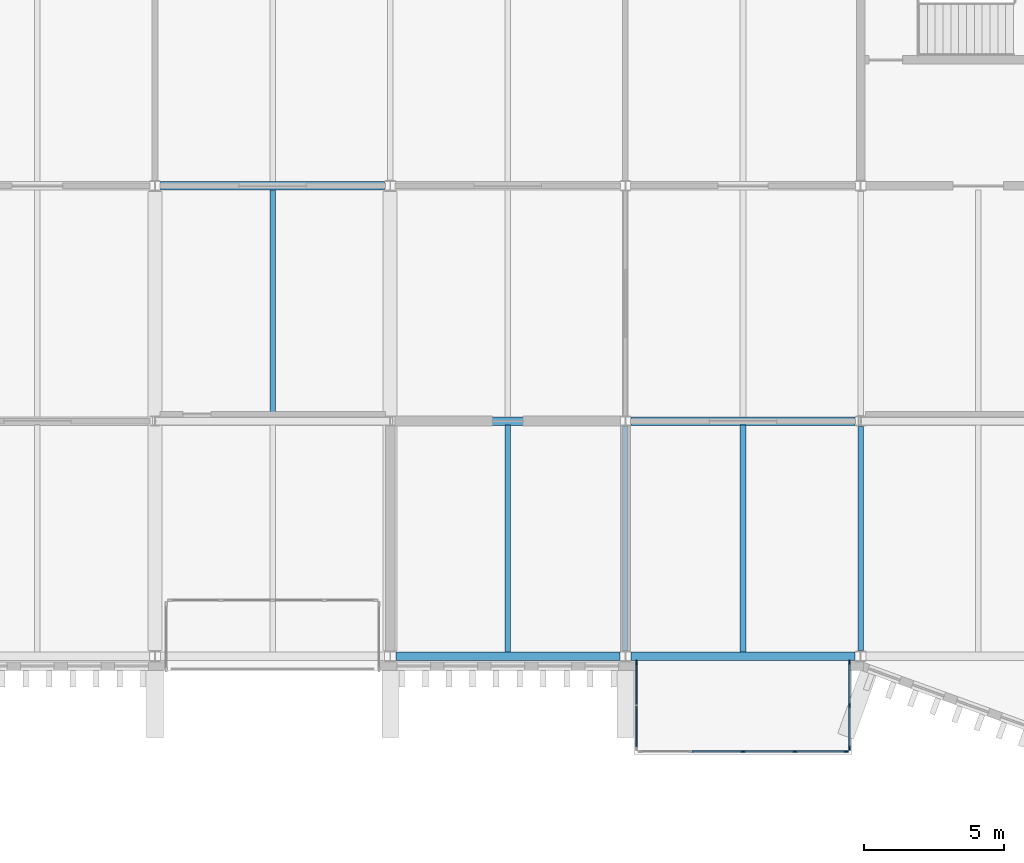
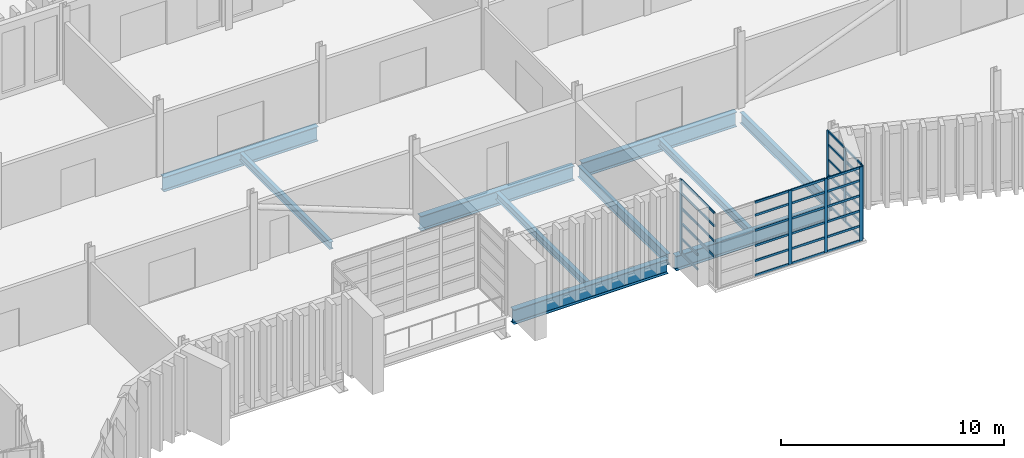
# One storey, part 25 of 96: 47 members, 10 beams, 3 elements without a shape of their own.
"""IFC4 building model written with IfcOpenShell, lengths in metres."""

import ifcopenshell
import ifcopenshell.guid

model = None  # the IFC model being written
_history = None  # IfcOwnerHistory: only IFC2X3 demands one
_inside = {}  # id of a spatial element -> (the spatial element, [elements in it])
_under = {}  # id of a project, library or spatial element -> (it, [spatial elements below it])
_declared = {}  # id of a project -> (the project, [libraries it declares])
_typed = {}  # id of a type object -> (the type object, [elements of that type])
_made_of = {}  # id of a material, layer set ... -> (it, [elements and type objects made of it])


def new_model(schema):
    """Start an empty IFC model of exactly this schema.

    Asked for "IFC4X3", IfcOpenShell would pick the latest addendum, in which some entities
    have other attributes; the version numbers below select the first issue.
    IFC2X3 requires an IfcOwnerHistory on every rooted entity: one is made here for all.
    """
    global model, _history
    if schema == "IFC4X3":
        model = ifcopenshell.file(schema_version=(4, 3, 0, 0))
    else:
        model = ifcopenshell.file(schema=schema)
    _inside.clear()
    _under.clear()
    _declared.clear()
    _typed.clear()
    _made_of.clear()
    _history = None
    if model.schema == "IFC2X3":
        org = make("IfcOrganization", Name="unknown")
        user = make(
            "IfcPersonAndOrganization",
            ThePerson=make("IfcPerson", FamilyName="unknown"),
            TheOrganization=org,
        )
        app = make(
            "IfcApplication",
            ApplicationDeveloper=org,
            Version="unknown",
            ApplicationFullName="unknown",
            ApplicationIdentifier="unknown",
        )
        _history = make(
            "IfcOwnerHistory",
            OwningUser=user,
            OwningApplication=app,
            ChangeAction="ADDED",
            CreationDate=0,
        )
    return model


def make(cls, **values):
    """One entity of the class cls with the attributes given. An attribute that is None is left unset."""
    return model.create_entity(
        cls, **{name: value for name, value in values.items() if value is not None}
    )


def rooted(cls, **values):
    """An entity with a GlobalId (a new one), such as an element, a storey or a relation."""
    return make(cls, GlobalId=ifcopenshell.guid.new(), OwnerHistory=_history, **values)


def si_unit(unit_type, name, prefix=None):
    """IfcSIUnit, for example si_unit("LENGTHUNIT", "METRE", prefix="MILLI")."""
    return make("IfcSIUnit", UnitType=unit_type, Prefix=prefix, Name=name)


def assignment(units):
    """IfcUnitAssignment: the units of a project."""
    return None if units is None else make("IfcUnitAssignment", Units=units)


def point(xyz):
    """IfcCartesianPoint."""
    return None if xyz is None else make("IfcCartesianPoint", Coordinates=xyz)


def direction(xyz):
    """IfcDirection."""
    return None if xyz is None else make("IfcDirection", DirectionRatios=xyz)


def frame(location, z_axis=None, x_axis=None):
    """IfcAxis2Placement3D, a coordinate frame: its origin and axes. An axis left out is left unset."""
    return make(
        "IfcAxis2Placement3D",
        Location=point(location),
        Axis=direction(z_axis),
        RefDirection=direction(x_axis),
    )


def frame_2d(location, x_axis=None):
    """IfcAxis2Placement2D, a coordinate frame in the plane: its origin and x axis."""
    return make(
        "IfcAxis2Placement2D", Location=point(location), RefDirection=direction(x_axis)
    )


def origin():
    """The frame at (0, 0, 0) with its axes left unset."""
    return frame((0.0, 0.0, 0.0))


def origin_2d():
    """The frame at (0, 0) in the plane with its x axis left unset."""
    return frame_2d((0.0, 0.0))


def place(relative_to, where):
    """IfcLocalPlacement: puts the frame where relative to a parent placement (None: the world)."""
    return make(
        "IfcLocalPlacement", PlacementRelTo=relative_to, RelativePlacement=where
    )


def context(
    kind, dimensions, precision=None, world=None, true_north=None, identifier=None
):
    """IfcGeometricRepresentationContext, for example the 3D "Model" context."""
    return make(
        "IfcGeometricRepresentationContext",
        ContextIdentifier=identifier,
        ContextType=kind,
        CoordinateSpaceDimension=dimensions,
        Precision=precision,
        WorldCoordinateSystem=world,
        TrueNorth=true_north,
    )


def subcontext(parent, identifier, kind, view, scale=None):
    """IfcGeometricRepresentationSubContext, for example "Body" below "Model"."""
    return make(
        "IfcGeometricRepresentationSubContext",
        ContextIdentifier=identifier,
        ContextType=kind,
        ParentContext=parent,
        TargetScale=scale,
        TargetView=view,
    )


def project(units=None, contexts=None):
    """IfcProject with its units and contexts."""
    return rooted(
        "IfcProject",
        Name="project",
        RepresentationContexts=contexts,
        UnitsInContext=assignment(units),
    )


def spatial(cls, under=None, at=None, **own):
    """A site, building, storey or space (cls), placed at a placement, below another one or the project."""
    s = rooted(cls, ObjectPlacement=at, **own)
    if under is not None:
        _under.setdefault(under.id(), (under, []))[1].append(s)
    return s


def profile(cls, at=None, kind="AREA", **sizes):
    """A parametric profile (cls). Its sizes go by their IFC names, for example OverallWidth=200.0."""
    return make(cls, ProfileType=kind, Position=at, **sizes)


def rectangle(**sizes):
    """IfcRectangleProfileDef."""
    return profile("IfcRectangleProfileDef", **sizes)


def i_section(**sizes):
    """IfcIShapeProfileDef."""
    return profile("IfcIShapeProfileDef", **sizes)


def extrude(swept, where, along, depth):
    """IfcExtrudedAreaSolid: the profile swept, set in the frame where, extruded along a direction by depth."""
    return make(
        "IfcExtrudedAreaSolid",
        SweptArea=swept,
        Position=where,
        ExtrudedDirection=direction(along),
        Depth=depth,
    )


def shape(context_of_items, identifier, shape_type, items):
    """IfcShapeRepresentation: the items that make up one representation, for example the "Body"."""
    return make(
        "IfcShapeRepresentation",
        ContextOfItems=context_of_items,
        RepresentationIdentifier=identifier,
        RepresentationType=shape_type,
        Items=items,
    )


def material(Name=None, Category=None):
    """IfcMaterial."""
    return make("IfcMaterial", Name=Name, Category=Category)


def layer(
    of_material, thickness, ventilated=None, Name=None, Category=None, Priority=None
):
    """IfcMaterialLayer: one layer of a wall or slab, of a material (None: an air gap)."""
    return make(
        "IfcMaterialLayer",
        Material=of_material,
        LayerThickness=thickness,
        IsVentilated=ventilated,
        Name=Name,
        Category=Category,
        Priority=Priority,
    )


def layer_set(layers, Name=None):
    """IfcMaterialLayerSet."""
    return make("IfcMaterialLayerSet", MaterialLayers=layers, LayerSetName=Name)


def material_profile(
    of_material, cross_section, Name=None, Category=None, Priority=None
):
    """IfcMaterialProfile: a cross section and its material."""
    return make(
        "IfcMaterialProfile",
        Name=Name,
        Material=of_material,
        Profile=cross_section,
        Priority=Priority,
        Category=Category,
    )


def profile_set(profiles, Name=None, composite=None):
    """IfcMaterialProfileSet."""
    return make(
        "IfcMaterialProfileSet",
        Name=Name,
        MaterialProfiles=profiles,
        CompositeProfile=composite,
    )


def made_of(thing, what):
    """Note that an element or type object is made of a material, layer set ...; save() writes the relation."""
    if what is not None:
        _made_of.setdefault(what.id(), (what, []))[1].append(thing)
    return thing


def type_object(cls, material=None, **own):
    """A type object (cls), such as IfcWallType, which elements share."""
    return made_of(rooted(cls, **own), material)


def element(
    cls,
    number,
    at=None,
    inside=None,
    cuts=None,
    type_object=None,
    material=None,
    context=None,
    identifier="Body",
    shape_type=None,
    held_by="IfcProductDefinitionShape",
    body=None,
    shapes=None,
    **own,
):
    """One element of the class cls, such as IfcWall. Its Tag is "e" and its number.

    at: its placement. inside: the storey or other place that contains it. cuts: it is an
    opening in that element (IfcRelVoidsElement). A single representation is given by context,
    identifier, shape_type and body (its items); several are given by shapes. held_by: the class
    of the entity that holds the representations. save() writes the other relations.
    """
    e = rooted(cls, Tag="e%d" % number, ObjectPlacement=at, **own)
    if body is not None:
        shapes = [shape(context, identifier, shape_type, body)]
    if shapes is not None:
        e.Representation = make(held_by, Representations=shapes)
    if inside is not None:
        _inside.setdefault(inside.id(), (inside, []))[1].append(e)
    if cuts is not None:
        rooted(
            "IfcRelVoidsElement", RelatingBuildingElement=cuts, RelatedOpeningElement=e
        )
    if type_object is not None:
        _typed.setdefault(type_object.id(), (type_object, []))[1].append(e)
    return made_of(e, material)


def aggregate(whole, parts):
    """IfcRelAggregates: a whole, such as a stair, and the parts it consists of."""
    return rooted("IfcRelAggregates", RelatingObject=whole, RelatedObjects=parts)


def save(model, path):
    """Write the relations noted so far, then the file.

    IfcRelAggregates (storeys below a building ...), IfcRelContainedInSpatialStructure (elements
    in a storey), IfcRelDefinesByType, IfcRelAssociatesMaterial and IfcRelDeclares: one each for
    every whole, place, type object, material and project.
    """
    for whole, parts in _under.values():
        aggregate(whole, parts)
    for where, things in _inside.values():
        rooted(
            "IfcRelContainedInSpatialStructure",
            RelatedElements=things,
            RelatingStructure=where,
        )
    for kind, things in _typed.values():
        rooted("IfcRelDefinesByType", RelatedObjects=things, RelatingType=kind)
    for what, things in _made_of.values():
        rooted("IfcRelAssociatesMaterial", RelatedObjects=things, RelatingMaterial=what)
    for by, libraries in _declared.values():
        rooted("IfcRelDeclares", RelatingContext=by, RelatedDefinitions=libraries)
    model.write(path)


model = new_model("IFC4")

# Units and contexts
model_context = context("Model", 3, precision=1e-05, world=origin(), true_north=direction((0.0, 1.0)))
body_context = subcontext(model_context, "Body", "Model", "MODEL_VIEW")
ifc_project = project(units=[si_unit("LENGTHUNIT", "METRE"), si_unit("AREAUNIT", "SQUARE_METRE"), si_unit("VOLUMEUNIT", "CUBIC_METRE"), si_unit("PLANEANGLEUNIT", "RADIAN"), si_unit("MASSUNIT", "GRAM", prefix="KILO")], contexts=[model_context])

# Site, building, storey
site_placement = place(None, origin())
site = spatial("IfcSite", under=ifc_project, at=site_placement, CompositionType="ELEMENT")
building_placement = place(site_placement, origin())
building = spatial("IfcBuilding", under=site, at=building_placement, Name="Cresset Court Congress Hotel", CompositionType="ELEMENT")
storey_placement = place(building_placement, frame((0.0, 0.0, 6.0)))
storey = spatial("IfcBuildingStorey", under=building, at=storey_placement, Name="L01", CompositionType="ELEMENT", Elevation=6.0)

# Curtain wall, members
ifc_material_1 = material(Name="Aluminium frame with double glazing", Category="aluminium")
ifc_layer = layer(ifc_material_1, 0.199951171875)
ifc_layer_set = layer_set([ifc_layer], Name="Glazed box curtain wall 1680 module")
curtain_wall_type = type_object("IfcCurtainWallType", Name="Glazed box curtain wall 1680 module", PredefinedType="NOTDEFINED", material=ifc_layer_set)
curtain_wall_1_placement = place(storey_placement, origin())
curtain_wall_1 = element("IfcCurtainWall", 1, at=curtain_wall_1_placement, inside=storey, type_object=curtain_wall_type, Name="Glazed box S0112 front", PredefinedType="NOTDEFINED")
ifc_material_2 = material(Name="Aluminium", Category="aluminium")
ifc_material_profile_1 = material_profile(ifc_material_2, rectangle(XDim=0.06005859375, YDim=0.159912109375, at=origin_2d()), Name="Box mullion 60x160")
ifc_profile_set_1 = profile_set([ifc_material_profile_1], Name="Aluminium")
member_type_1 = type_object("IfcMemberType", Name="Box mullion 60x160", PredefinedType="MULLION", material=ifc_profile_set_1)
member_1_placement = place(storey_placement, frame((96.60009765625, -3.39990234375, 0.0), z_axis=(0.0, 0.0, 1.0), x_axis=(0.0, 1.0, 0.0)))
member_1 = element("IfcMember", 2, at=member_1_placement, type_object=member_type_1, Name="B-X1 mullion 3", PredefinedType="MULLION", context=body_context, shape_type="SweptSolid", body=[
    extrude(rectangle(XDim=0.06005859375, YDim=0.159912109375, at=origin_2d()), origin(), (0.0, 0.0, 1.0), 4.050048828125),
])
member_2_placement = place(storey_placement, frame((98.449951171875, -3.39990234375, 0.0), z_axis=(0.0, 0.0, 1.0), x_axis=(0.0, 1.0, 0.0)))
member_2 = element("IfcMember", 3, at=member_2_placement, type_object=member_type_1, Name="B-X1 mullion 4", PredefinedType="MULLION", context=body_context, shape_type="SweptSolid", body=[
    extrude(rectangle(XDim=0.06005859375, YDim=0.159912109375, at=origin_2d()), origin(), (0.0, 0.0, 1.0), 4.050048828125),
])
member_3_placement = place(storey_placement, frame((100.27001953125, -3.39990234375, 0.0), z_axis=(0.0, 0.0, 1.0), x_axis=(0.0, 1.0, 0.0)))
member_3 = element("IfcMember", 4, at=member_3_placement, type_object=member_type_1, Name="B-X1 mullion 5", PredefinedType="MULLION", context=body_context, shape_type="SweptSolid", body=[
    extrude(rectangle(XDim=0.06005859375, YDim=0.159912109375, at=origin_2d()), origin(), (0.0, 0.0, 1.0), 4.050048828125),
])

# Curtain wall, member
curtain_wall_2_placement = place(storey_placement, origin())
curtain_wall_2 = element("IfcCurtainWall", 5, at=curtain_wall_2_placement, inside=storey, type_object=curtain_wall_type, Name="Glazed box S0112 side", PredefinedType="NOTDEFINED")
member_4_placement = place(storey_placement, frame((92.800048828125, -0.22998046875, 0.0), z_axis=(0.0, 0.0, 1.0), x_axis=(1.0, 0.0, 0.0)))
member_4 = element("IfcMember", 6, at=member_4_placement, type_object=member_type_1, Name="B-X1 mullion 1", PredefinedType="MULLION", context=body_context, shape_type="SweptSolid", body=[
    extrude(rectangle(XDim=0.06005859375, YDim=0.159912109375, at=origin_2d()), origin(), (0.0, 0.0, 1.0), 4.050048828125),
])

# Curtain wall, members
curtain_wall_3_placement = place(storey_placement, origin())
curtain_wall_3 = element("IfcCurtainWall", 7, at=curtain_wall_3_placement, inside=storey, type_object=curtain_wall_type, Name="Glazed box S0112 side", PredefinedType="NOTDEFINED")
member_5_placement = place(storey_placement, frame((100.39990234375, -0.22998046875, 0.0), z_axis=(0.0, 0.0, 1.0), x_axis=(1.0, 0.0, 0.0)))
member_5 = element("IfcMember", 8, at=member_5_placement, type_object=member_type_1, Name="B-X1 mullion 1", PredefinedType="MULLION", context=body_context, shape_type="SweptSolid", body=[
    extrude(rectangle(XDim=0.06005859375, YDim=0.159912109375, at=origin_2d()), origin(), (0.0, 0.0, 1.0), 4.050048828125),
])
member_6_placement = place(storey_placement, frame((100.39990234375, -1.75, 0.0), z_axis=(0.0, 0.0, 1.0), x_axis=(1.0, 0.0, 0.0)))
member_6 = element("IfcMember", 9, at=member_6_placement, type_object=member_type_1, Name="B-X1 mullion 2", PredefinedType="MULLION", context=body_context, shape_type="SweptSolid", body=[
    extrude(rectangle(XDim=0.06005859375, YDim=0.159912109375, at=origin_2d()), origin(), (0.0, 0.0, 1.0), 4.050048828125),
])
member_7_placement = place(storey_placement, frame((100.39990234375, -3.27001953125, 0.0), z_axis=(0.0, 0.0, 1.0), x_axis=(1.0, 0.0, 0.0)))
member_7 = element("IfcMember", 10, at=member_7_placement, type_object=member_type_1, Name="B-X1 mullion 3", PredefinedType="MULLION", context=body_context, shape_type="SweptSolid", body=[
    extrude(rectangle(XDim=0.06005859375, YDim=0.159912109375, at=origin_2d()), origin(), (0.0, 0.0, 1.0), 4.050048828125),
])

# Member
ifc_material_3 = material(Name="Aluminium", Category="aluminium")
ifc_material_profile_2 = material_profile(ifc_material_3, rectangle(XDim=0.06005859375, YDim=0.1201171875, at=origin_2d()), Name="Box transom 60x120")
ifc_profile_set_2 = profile_set([ifc_material_profile_2], Name="Aluminium")
member_type_2 = type_object("IfcMemberType", Name="Box transom 60x120", PredefinedType="USERDEFINED", material=ifc_profile_set_2)
member_8_placement = place(storey_placement, frame((94.780029296875, -3.39990234375, 0.030029296875), z_axis=(1.0, 0.0, 0.0), x_axis=(0.0, 1.0, 0.0)))
member_8 = element("IfcMember", 11, at=member_8_placement, type_object=member_type_2, Name="B-X1 transom 2.1", ObjectType="TRANSOM", PredefinedType="USERDEFINED", context=body_context, shape_type="SweptSolid", body=[
    extrude(rectangle(XDim=0.06005859375, YDim=0.1201171875, at=origin_2d()), origin(), (0.0, 0.0, 1.0), 1.7900390625),
])

member_9_placement = place(storey_placement, frame((94.780029296875, -3.39990234375, 0.830078125), z_axis=(1.0, 0.0, 0.0), x_axis=(0.0, 1.0, 0.0)))
member_9 = element("IfcMember", 12, at=member_9_placement, type_object=member_type_2, Name="B-X1 transom 2.2", ObjectType="TRANSOM", PredefinedType="USERDEFINED", context=body_context, shape_type="SweptSolid", body=[
    extrude(rectangle(XDim=0.06005859375, YDim=0.1201171875, at=origin_2d()), origin(), (0.0, 0.0, 1.0), 1.7900390625),
])

member_10_placement = place(storey_placement, frame((94.780029296875, -3.39990234375, 1.659912109375), z_axis=(1.0, 0.0, 0.0), x_axis=(0.0, 1.0, 0.0)))
member_10 = element("IfcMember", 13, at=member_10_placement, type_object=member_type_2, Name="B-X1 transom 2.3", ObjectType="TRANSOM", PredefinedType="USERDEFINED", context=body_context, shape_type="SweptSolid", body=[
    extrude(rectangle(XDim=0.06005859375, YDim=0.1201171875, at=origin_2d()), origin(), (0.0, 0.0, 1.0), 1.7900390625),
])

member_11_placement = place(storey_placement, frame((94.780029296875, -3.39990234375, 2.489990234375), z_axis=(1.0, 0.0, 0.0), x_axis=(0.0, 1.0, 0.0)))
member_11 = element("IfcMember", 14, at=member_11_placement, type_object=member_type_2, Name="B-X1 transom 2.4", ObjectType="TRANSOM", PredefinedType="USERDEFINED", context=body_context, shape_type="SweptSolid", body=[
    extrude(rectangle(XDim=0.06005859375, YDim=0.1201171875, at=origin_2d()), origin(), (0.0, 0.0, 1.0), 1.7900390625),
])

member_12_placement = place(storey_placement, frame((94.780029296875, -3.39990234375, 3.320068359375), z_axis=(1.0, 0.0, 0.0), x_axis=(0.0, 1.0, 0.0)))
member_12 = element("IfcMember", 15, at=member_12_placement, type_object=member_type_2, Name="B-X1 transom 2.5", ObjectType="TRANSOM", PredefinedType="USERDEFINED", context=body_context, shape_type="SweptSolid", body=[
    extrude(rectangle(XDim=0.06005859375, YDim=0.1201171875, at=origin_2d()), origin(), (0.0, 0.0, 1.0), 1.7900390625),
])

member_13_placement = place(storey_placement, frame((94.780029296875, -3.39990234375, 4.02001953125), z_axis=(1.0, 0.0, 0.0), x_axis=(0.0, 1.0, 0.0)))
member_13 = element("IfcMember", 16, at=member_13_placement, type_object=member_type_2, Name="B-X1 transom 2.6", ObjectType="TRANSOM", PredefinedType="USERDEFINED", context=body_context, shape_type="SweptSolid", body=[
    extrude(rectangle(XDim=0.06005859375, YDim=0.1201171875, at=origin_2d()), origin(), (0.0, 0.0, 1.0), 1.7900390625),
])

member_14_placement = place(storey_placement, frame((96.6298828125, -3.39990234375, 0.030029296875), z_axis=(1.0, 0.0, 0.0), x_axis=(0.0, 1.0, 0.0)))
member_14 = element("IfcMember", 17, at=member_14_placement, type_object=member_type_2, Name="B-X1 transom 3.1", ObjectType="TRANSOM", PredefinedType="USERDEFINED", context=body_context, shape_type="SweptSolid", body=[
    extrude(rectangle(XDim=0.06005859375, YDim=0.1201171875, at=origin_2d()), origin(), (0.0, 0.0, 1.0), 1.7900390625),
])

member_15_placement = place(storey_placement, frame((96.6298828125, -3.39990234375, 0.830078125), z_axis=(1.0, 0.0, 0.0), x_axis=(0.0, 1.0, 0.0)))
member_15 = element("IfcMember", 18, at=member_15_placement, type_object=member_type_2, Name="B-X1 transom 3.2", ObjectType="TRANSOM", PredefinedType="USERDEFINED", context=body_context, shape_type="SweptSolid", body=[
    extrude(rectangle(XDim=0.06005859375, YDim=0.1201171875, at=origin_2d()), origin(), (0.0, 0.0, 1.0), 1.7900390625),
])

member_16_placement = place(storey_placement, frame((96.6298828125, -3.39990234375, 1.659912109375), z_axis=(1.0, 0.0, 0.0), x_axis=(0.0, 1.0, 0.0)))
member_16 = element("IfcMember", 19, at=member_16_placement, type_object=member_type_2, Name="B-X1 transom 3.3", ObjectType="TRANSOM", PredefinedType="USERDEFINED", context=body_context, shape_type="SweptSolid", body=[
    extrude(rectangle(XDim=0.06005859375, YDim=0.1201171875, at=origin_2d()), origin(), (0.0, 0.0, 1.0), 1.7900390625),
])

member_17_placement = place(storey_placement, frame((96.6298828125, -3.39990234375, 2.489990234375), z_axis=(1.0, 0.0, 0.0), x_axis=(0.0, 1.0, 0.0)))
member_17 = element("IfcMember", 20, at=member_17_placement, type_object=member_type_2, Name="B-X1 transom 3.4", ObjectType="TRANSOM", PredefinedType="USERDEFINED", context=body_context, shape_type="SweptSolid", body=[
    extrude(rectangle(XDim=0.06005859375, YDim=0.1201171875, at=origin_2d()), origin(), (0.0, 0.0, 1.0), 1.7900390625),
])

member_18_placement = place(storey_placement, frame((96.6298828125, -3.39990234375, 3.320068359375), z_axis=(1.0, 0.0, 0.0), x_axis=(0.0, 1.0, 0.0)))
member_18 = element("IfcMember", 21, at=member_18_placement, type_object=member_type_2, Name="B-X1 transom 3.5", ObjectType="TRANSOM", PredefinedType="USERDEFINED", context=body_context, shape_type="SweptSolid", body=[
    extrude(rectangle(XDim=0.06005859375, YDim=0.1201171875, at=origin_2d()), origin(), (0.0, 0.0, 1.0), 1.7900390625),
])

member_19_placement = place(storey_placement, frame((96.6298828125, -3.39990234375, 4.02001953125), z_axis=(1.0, 0.0, 0.0), x_axis=(0.0, 1.0, 0.0)))
member_19 = element("IfcMember", 22, at=member_19_placement, type_object=member_type_2, Name="B-X1 transom 3.6", ObjectType="TRANSOM", PredefinedType="USERDEFINED", context=body_context, shape_type="SweptSolid", body=[
    extrude(rectangle(XDim=0.06005859375, YDim=0.1201171875, at=origin_2d()), origin(), (0.0, 0.0, 1.0), 1.7900390625),
])

member_20_placement = place(storey_placement, frame((98.47998046875, -3.39990234375, 0.030029296875), z_axis=(1.0, 0.0, 0.0), x_axis=(0.0, 1.0, 0.0)))
member_20 = element("IfcMember", 23, at=member_20_placement, type_object=member_type_2, Name="B-X1 transom 4.1", ObjectType="TRANSOM", PredefinedType="USERDEFINED", context=body_context, shape_type="SweptSolid", body=[
    extrude(rectangle(XDim=0.06005859375, YDim=0.1201171875, at=origin_2d()), origin(), (0.0, 0.0, 1.0), 1.760009765625),
])

member_21_placement = place(storey_placement, frame((98.47998046875, -3.39990234375, 0.830078125), z_axis=(1.0, 0.0, 0.0), x_axis=(0.0, 1.0, 0.0)))
member_21 = element("IfcMember", 24, at=member_21_placement, type_object=member_type_2, Name="B-X1 transom 4.2", ObjectType="TRANSOM", PredefinedType="USERDEFINED", context=body_context, shape_type="SweptSolid", body=[
    extrude(rectangle(XDim=0.06005859375, YDim=0.1201171875, at=origin_2d()), origin(), (0.0, 0.0, 1.0), 1.760009765625),
])

member_22_placement = place(storey_placement, frame((98.47998046875, -3.39990234375, 1.659912109375), z_axis=(1.0, 0.0, 0.0), x_axis=(0.0, 1.0, 0.0)))
member_22 = element("IfcMember", 25, at=member_22_placement, type_object=member_type_2, Name="B-X1 transom 4.3", ObjectType="TRANSOM", PredefinedType="USERDEFINED", context=body_context, shape_type="SweptSolid", body=[
    extrude(rectangle(XDim=0.06005859375, YDim=0.1201171875, at=origin_2d()), origin(), (0.0, 0.0, 1.0), 1.760009765625),
])

member_23_placement = place(storey_placement, frame((98.47998046875, -3.39990234375, 2.489990234375), z_axis=(1.0, 0.0, 0.0), x_axis=(0.0, 1.0, 0.0)))
member_23 = element("IfcMember", 26, at=member_23_placement, type_object=member_type_2, Name="B-X1 transom 4.4", ObjectType="TRANSOM", PredefinedType="USERDEFINED", context=body_context, shape_type="SweptSolid", body=[
    extrude(rectangle(XDim=0.06005859375, YDim=0.1201171875, at=origin_2d()), origin(), (0.0, 0.0, 1.0), 1.760009765625),
])

member_24_placement = place(storey_placement, frame((98.47998046875, -3.39990234375, 3.320068359375), z_axis=(1.0, 0.0, 0.0), x_axis=(0.0, 1.0, 0.0)))
member_24 = element("IfcMember", 27, at=member_24_placement, type_object=member_type_2, Name="B-X1 transom 4.5", ObjectType="TRANSOM", PredefinedType="USERDEFINED", context=body_context, shape_type="SweptSolid", body=[
    extrude(rectangle(XDim=0.06005859375, YDim=0.1201171875, at=origin_2d()), origin(), (0.0, 0.0, 1.0), 1.760009765625),
])

member_25_placement = place(storey_placement, frame((98.47998046875, -3.39990234375, 4.02001953125), z_axis=(1.0, 0.0, 0.0), x_axis=(0.0, 1.0, 0.0)))
member_25 = element("IfcMember", 28, at=member_25_placement, type_object=member_type_2, Name="B-X1 transom 4.6", ObjectType="TRANSOM", PredefinedType="USERDEFINED", context=body_context, shape_type="SweptSolid", body=[
    extrude(rectangle(XDim=0.06005859375, YDim=0.1201171875, at=origin_2d()), origin(), (0.0, 0.0, 1.0), 1.760009765625),
])

aggregate(curtain_wall_1, [member_1, member_2, member_3, member_8, member_9, member_10, member_11, member_12, member_13, member_14, member_15, member_16, member_17, member_18, member_19, member_20, member_21, member_22, member_23, member_24, member_25])

member_26_placement = place(storey_placement, frame((92.800048828125, -0.260009765625, 0.030029296875), z_axis=(0.0, -1.0, 0.0), x_axis=(1.0, 0.0, 0.0)))
member_26 = element("IfcMember", 29, at=member_26_placement, type_object=member_type_2, Name="B-X1 transom 1.1", ObjectType="TRANSOM", PredefinedType="USERDEFINED", context=body_context, shape_type="SweptSolid", body=[
    extrude(rectangle(XDim=0.06005859375, YDim=0.1201171875, at=origin_2d()), origin(), (0.0, 0.0, 1.0), 1.4599609375),
])

member_27_placement = place(storey_placement, frame((92.800048828125, -0.260009765625, 0.830078125), z_axis=(0.0, -1.0, 0.0), x_axis=(1.0, 0.0, 0.0)))
member_27 = element("IfcMember", 30, at=member_27_placement, type_object=member_type_2, Name="B-X1 transom 1.2", ObjectType="TRANSOM", PredefinedType="USERDEFINED", context=body_context, shape_type="SweptSolid", body=[
    extrude(rectangle(XDim=0.06005859375, YDim=0.1201171875, at=origin_2d()), origin(), (0.0, 0.0, 1.0), 1.4599609375),
])

member_28_placement = place(storey_placement, frame((92.800048828125, -0.260009765625, 1.659912109375), z_axis=(0.0, -1.0, 0.0), x_axis=(1.0, 0.0, 0.0)))
member_28 = element("IfcMember", 31, at=member_28_placement, type_object=member_type_2, Name="B-X1 transom 1.3", ObjectType="TRANSOM", PredefinedType="USERDEFINED", context=body_context, shape_type="SweptSolid", body=[
    extrude(rectangle(XDim=0.06005859375, YDim=0.1201171875, at=origin_2d()), origin(), (0.0, 0.0, 1.0), 1.4599609375),
])

member_29_placement = place(storey_placement, frame((92.800048828125, -0.260009765625, 2.489990234375), z_axis=(0.0, -1.0, 0.0), x_axis=(1.0, 0.0, 0.0)))
member_29 = element("IfcMember", 32, at=member_29_placement, type_object=member_type_2, Name="B-X1 transom 1.4", ObjectType="TRANSOM", PredefinedType="USERDEFINED", context=body_context, shape_type="SweptSolid", body=[
    extrude(rectangle(XDim=0.06005859375, YDim=0.1201171875, at=origin_2d()), origin(), (0.0, 0.0, 1.0), 1.4599609375),
])

member_30_placement = place(storey_placement, frame((92.800048828125, -0.260009765625, 3.320068359375), z_axis=(0.0, -1.0, 0.0), x_axis=(1.0, 0.0, 0.0)))
member_30 = element("IfcMember", 33, at=member_30_placement, type_object=member_type_2, Name="B-X1 transom 1.5", ObjectType="TRANSOM", PredefinedType="USERDEFINED", context=body_context, shape_type="SweptSolid", body=[
    extrude(rectangle(XDim=0.06005859375, YDim=0.1201171875, at=origin_2d()), origin(), (0.0, 0.0, 1.0), 1.4599609375),
])

member_31_placement = place(storey_placement, frame((92.800048828125, -0.260009765625, 4.02001953125), z_axis=(0.0, -1.0, 0.0), x_axis=(1.0, 0.0, 0.0)))
member_31 = element("IfcMember", 34, at=member_31_placement, type_object=member_type_2, Name="B-X1 transom 1.6", ObjectType="TRANSOM", PredefinedType="USERDEFINED", context=body_context, shape_type="SweptSolid", body=[
    extrude(rectangle(XDim=0.06005859375, YDim=0.1201171875, at=origin_2d()), origin(), (0.0, 0.0, 1.0), 1.4599609375),
])

member_32_placement = place(storey_placement, frame((92.800048828125, -1.780029296875, 1.659912109375), z_axis=(0.0, -1.0, 0.0), x_axis=(1.0, 0.0, 0.0)))
member_32 = element("IfcMember", 35, at=member_32_placement, type_object=member_type_2, Name="B-X1 transom 2.3", ObjectType="TRANSOM", PredefinedType="USERDEFINED", context=body_context, shape_type="SweptSolid", body=[
    extrude(rectangle(XDim=0.06005859375, YDim=0.1201171875, at=origin_2d()), origin(), (0.0, 0.0, 1.0), 1.4599609375),
])

member_33_placement = place(storey_placement, frame((92.800048828125, -1.780029296875, 2.489990234375), z_axis=(0.0, -1.0, 0.0), x_axis=(1.0, 0.0, 0.0)))
member_33 = element("IfcMember", 36, at=member_33_placement, type_object=member_type_2, Name="B-X1 transom 2.4", ObjectType="TRANSOM", PredefinedType="USERDEFINED", context=body_context, shape_type="SweptSolid", body=[
    extrude(rectangle(XDim=0.06005859375, YDim=0.1201171875, at=origin_2d()), origin(), (0.0, 0.0, 1.0), 1.4599609375),
])

member_34_placement = place(storey_placement, frame((92.800048828125, -1.780029296875, 3.320068359375), z_axis=(0.0, -1.0, 0.0), x_axis=(1.0, 0.0, 0.0)))
member_34 = element("IfcMember", 37, at=member_34_placement, type_object=member_type_2, Name="B-X1 transom 2.5", ObjectType="TRANSOM", PredefinedType="USERDEFINED", context=body_context, shape_type="SweptSolid", body=[
    extrude(rectangle(XDim=0.06005859375, YDim=0.1201171875, at=origin_2d()), origin(), (0.0, 0.0, 1.0), 1.4599609375),
])

member_35_placement = place(storey_placement, frame((92.800048828125, -1.780029296875, 4.02001953125), z_axis=(0.0, -1.0, 0.0), x_axis=(1.0, 0.0, 0.0)))
member_35 = element("IfcMember", 38, at=member_35_placement, type_object=member_type_2, Name="B-X1 transom 2.6", ObjectType="TRANSOM", PredefinedType="USERDEFINED", context=body_context, shape_type="SweptSolid", body=[
    extrude(rectangle(XDim=0.06005859375, YDim=0.1201171875, at=origin_2d()), origin(), (0.0, 0.0, 1.0), 1.4599609375),
])

aggregate(curtain_wall_2, [member_4, member_26, member_27, member_28, member_29, member_30, member_31, member_32, member_33, member_34, member_35])

member_36_placement = place(storey_placement, frame((100.39990234375, -0.260009765625, 0.030029296875), z_axis=(0.0, -1.0, 0.0), x_axis=(1.0, 0.0, 0.0)))
member_36 = element("IfcMember", 39, at=member_36_placement, type_object=member_type_2, Name="B-X1 transom 1.1", ObjectType="TRANSOM", PredefinedType="USERDEFINED", context=body_context, shape_type="SweptSolid", body=[
    extrude(rectangle(XDim=0.06005859375, YDim=0.1201171875, at=origin_2d()), origin(), (0.0, 0.0, 1.0), 1.4599609375),
])

member_37_placement = place(storey_placement, frame((100.39990234375, -0.260009765625, 0.830078125), z_axis=(0.0, -1.0, 0.0), x_axis=(1.0, 0.0, 0.0)))
member_37 = element("IfcMember", 40, at=member_37_placement, type_object=member_type_2, Name="B-X1 transom 1.2", ObjectType="TRANSOM", PredefinedType="USERDEFINED", context=body_context, shape_type="SweptSolid", body=[
    extrude(rectangle(XDim=0.06005859375, YDim=0.1201171875, at=origin_2d()), origin(), (0.0, 0.0, 1.0), 1.4599609375),
])

member_38_placement = place(storey_placement, frame((100.39990234375, -0.260009765625, 1.659912109375), z_axis=(0.0, -1.0, 0.0), x_axis=(1.0, 0.0, 0.0)))
member_38 = element("IfcMember", 41, at=member_38_placement, type_object=member_type_2, Name="B-X1 transom 1.3", ObjectType="TRANSOM", PredefinedType="USERDEFINED", context=body_context, shape_type="SweptSolid", body=[
    extrude(rectangle(XDim=0.06005859375, YDim=0.1201171875, at=origin_2d()), origin(), (0.0, 0.0, 1.0), 1.4599609375),
])

member_39_placement = place(storey_placement, frame((100.39990234375, -0.260009765625, 2.489990234375), z_axis=(0.0, -1.0, 0.0), x_axis=(1.0, 0.0, 0.0)))
member_39 = element("IfcMember", 42, at=member_39_placement, type_object=member_type_2, Name="B-X1 transom 1.4", ObjectType="TRANSOM", PredefinedType="USERDEFINED", context=body_context, shape_type="SweptSolid", body=[
    extrude(rectangle(XDim=0.06005859375, YDim=0.1201171875, at=origin_2d()), origin(), (0.0, 0.0, 1.0), 1.4599609375),
])

member_40_placement = place(storey_placement, frame((100.39990234375, -0.260009765625, 3.320068359375), z_axis=(0.0, -1.0, 0.0), x_axis=(1.0, 0.0, 0.0)))
member_40 = element("IfcMember", 43, at=member_40_placement, type_object=member_type_2, Name="B-X1 transom 1.5", ObjectType="TRANSOM", PredefinedType="USERDEFINED", context=body_context, shape_type="SweptSolid", body=[
    extrude(rectangle(XDim=0.06005859375, YDim=0.1201171875, at=origin_2d()), origin(), (0.0, 0.0, 1.0), 1.4599609375),
])

member_41_placement = place(storey_placement, frame((100.39990234375, -0.260009765625, 4.02001953125), z_axis=(0.0, -1.0, 0.0), x_axis=(1.0, 0.0, 0.0)))
member_41 = element("IfcMember", 44, at=member_41_placement, type_object=member_type_2, Name="B-X1 transom 1.6", ObjectType="TRANSOM", PredefinedType="USERDEFINED", context=body_context, shape_type="SweptSolid", body=[
    extrude(rectangle(XDim=0.06005859375, YDim=0.1201171875, at=origin_2d()), origin(), (0.0, 0.0, 1.0), 1.4599609375),
])

member_42_placement = place(storey_placement, frame((100.39990234375, -1.780029296875, 0.030029296875), z_axis=(0.0, -1.0, 0.0), x_axis=(1.0, 0.0, 0.0)))
member_42 = element("IfcMember", 45, at=member_42_placement, type_object=member_type_2, Name="B-X1 transom 2.1", ObjectType="TRANSOM", PredefinedType="USERDEFINED", context=body_context, shape_type="SweptSolid", body=[
    extrude(rectangle(XDim=0.06005859375, YDim=0.1201171875, at=origin_2d()), origin(), (0.0, 0.0, 1.0), 1.4599609375),
])

member_43_placement = place(storey_placement, frame((100.39990234375, -1.780029296875, 0.830078125), z_axis=(0.0, -1.0, 0.0), x_axis=(1.0, 0.0, 0.0)))
member_43 = element("IfcMember", 46, at=member_43_placement, type_object=member_type_2, Name="B-X1 transom 2.2", ObjectType="TRANSOM", PredefinedType="USERDEFINED", context=body_context, shape_type="SweptSolid", body=[
    extrude(rectangle(XDim=0.06005859375, YDim=0.1201171875, at=origin_2d()), origin(), (0.0, 0.0, 1.0), 1.4599609375),
])

member_44_placement = place(storey_placement, frame((100.39990234375, -1.780029296875, 1.659912109375), z_axis=(0.0, -1.0, 0.0), x_axis=(1.0, 0.0, 0.0)))
member_44 = element("IfcMember", 47, at=member_44_placement, type_object=member_type_2, Name="B-X1 transom 2.3", ObjectType="TRANSOM", PredefinedType="USERDEFINED", context=body_context, shape_type="SweptSolid", body=[
    extrude(rectangle(XDim=0.06005859375, YDim=0.1201171875, at=origin_2d()), origin(), (0.0, 0.0, 1.0), 1.4599609375),
])

member_45_placement = place(storey_placement, frame((100.39990234375, -1.780029296875, 2.489990234375), z_axis=(0.0, -1.0, 0.0), x_axis=(1.0, 0.0, 0.0)))
member_45 = element("IfcMember", 48, at=member_45_placement, type_object=member_type_2, Name="B-X1 transom 2.4", ObjectType="TRANSOM", PredefinedType="USERDEFINED", context=body_context, shape_type="SweptSolid", body=[
    extrude(rectangle(XDim=0.06005859375, YDim=0.1201171875, at=origin_2d()), origin(), (0.0, 0.0, 1.0), 1.4599609375),
])

member_46_placement = place(storey_placement, frame((100.39990234375, -1.780029296875, 3.320068359375), z_axis=(0.0, -1.0, 0.0), x_axis=(1.0, 0.0, 0.0)))
member_46 = element("IfcMember", 49, at=member_46_placement, type_object=member_type_2, Name="B-X1 transom 2.5", ObjectType="TRANSOM", PredefinedType="USERDEFINED", context=body_context, shape_type="SweptSolid", body=[
    extrude(rectangle(XDim=0.06005859375, YDim=0.1201171875, at=origin_2d()), origin(), (0.0, 0.0, 1.0), 1.4599609375),
])

member_47_placement = place(storey_placement, frame((100.39990234375, -1.780029296875, 4.02001953125), z_axis=(0.0, -1.0, 0.0), x_axis=(1.0, 0.0, 0.0)))
member_47 = element("IfcMember", 50, at=member_47_placement, type_object=member_type_2, Name="B-X1 transom 2.6", ObjectType="TRANSOM", PredefinedType="USERDEFINED", context=body_context, shape_type="SweptSolid", body=[
    extrude(rectangle(XDim=0.06005859375, YDim=0.1201171875, at=origin_2d()), origin(), (0.0, 0.0, 1.0), 1.4599609375),
])

aggregate(curtain_wall_3, [member_5, member_6, member_7, member_36, member_37, member_38, member_39, member_40, member_41, member_42, member_43, member_44, member_45, member_46, member_47])

# Beams
ifc_material_4 = material(Name="Structural steel Q355B", Category="steel")
ifc_material_profile_3 = material_profile(ifc_material_4, i_section(OverallWidth=0.199951171875, OverallDepth=0.60009765625, WebThickness=0.010986328125, FlangeThickness=0.01708984375, FilletRadius=0.012939453125, at=origin_2d()), Name="HN600x200x11x17")
ifc_profile_set_3 = profile_set([ifc_material_profile_3], Name="Structural steel Q355B")
beam_type_1 = type_object("IfcBeamType", Name="Steel beam HN600x200x11x17", PredefinedType="BEAM", material=ifc_profile_set_3)
for number, where, z_axis, x_axis, name in (
    (51, (92.39990234375, 0.199951171875, -0.449951171875), (0.0, 1.0, 0.0), (-1.0, 0.0, 0.0), "B.by.L01.12A"),
    (52, (100.800048828125, 0.199951171875, -0.449951171875), (0.0, 1.0, 0.0), (-1.0, 0.0, 0.0), "B.by.L01.13A"),
):
    element("IfcBeam", number, at=place(storey_placement, frame(where, z_axis=z_axis, x_axis=x_axis)), inside=storey, type_object=beam_type_1, Name=name, PredefinedType="BEAM", context=body_context, shape_type="SweptSolid", body=[
        extrude(i_section(OverallWidth=0.199951171875, OverallDepth=0.60009765625, WebThickness=0.010986328125, FlangeThickness=0.01708984375, FilletRadius=0.012939453125, at=origin_2d()), origin(), (0.0, 0.0, 1.0), 8.0),
    ])
ifc_material_5 = material(Name="Structural steel Q355B", Category="steel")
ifc_material_profile_4 = material_profile(ifc_material_5, i_section(OverallWidth=0.300048828125, OverallDepth=0.800048828125, WebThickness=0.013916015625, FlangeThickness=0.02587890625, FilletRadius=0.01806640625, at=origin_2d()), Name="HN800x300x14x26")
ifc_profile_set_4 = profile_set([ifc_material_profile_4], Name="Structural steel Q355B")
beam_type_2 = type_object("IfcBeamType", Name="Steel beam HN800x300x14x26", PredefinedType="BEAM", material=ifc_profile_set_4)
for number, where, z_axis, x_axis, name in (
    (53, (84.199951171875, 0.0, -0.550048828125), (1.0, 0.0, 0.0), (0.0, 1.0, 0.0), "B.bx.L01.A11"),
    (54, (92.60009765625, 0.0, -0.550048828125), (1.0, 0.0, 0.0), (0.0, 1.0, 0.0), "B.bx.L01.A12"),
):
    element("IfcBeam", number, at=place(storey_placement, frame(where, z_axis=z_axis, x_axis=x_axis)), inside=storey, type_object=beam_type_2, Name=name, PredefinedType="BEAM", context=body_context, shape_type="SweptSolid", body=[
        extrude(i_section(OverallWidth=0.300048828125, OverallDepth=0.800048828125, WebThickness=0.013916015625, FlangeThickness=0.02587890625, FilletRadius=0.01806640625, at=origin_2d()), origin(), (0.0, 0.0, 1.0), 8.0),
    ])
beam_1_placement = place(storey_placement, frame((84.25, 8.39990234375, -0.550048828125), z_axis=(1.0, 0.0, 0.0), x_axis=(0.0, 1.0, 0.0)))
element("IfcBeam", 55, at=beam_1_placement, inside=storey, type_object=beam_type_2, Name="B.bx.L01.B11", PredefinedType="BEAM", context=body_context, shape_type="SweptSolid", body=[
    extrude(i_section(OverallWidth=0.300048828125, OverallDepth=0.800048828125, WebThickness=0.013916015625, FlangeThickness=0.02587890625, FilletRadius=0.01806640625, at=origin_2d()), origin(), (0.0, 0.0, 1.0), 7.949951171875),
])
for number, where, z_axis, x_axis, name in (
    (56, (92.60009765625, 8.39990234375, -0.550048828125), (1.0, 0.0, 0.0), (0.0, 1.0, 0.0), "B.bx.L01.B12"),
    (57, (75.800048828125, 16.800048828125, -0.550048828125), (1.0, 0.0, 0.0), (0.0, 1.0, 0.0), "B.bx.L01.C10"),
):
    element("IfcBeam", number, at=place(storey_placement, frame(where, z_axis=z_axis, x_axis=x_axis)), inside=storey, type_object=beam_type_2, Name=name, PredefinedType="BEAM", context=body_context, shape_type="SweptSolid", body=[
        extrude(i_section(OverallWidth=0.300048828125, OverallDepth=0.800048828125, WebThickness=0.013916015625, FlangeThickness=0.02587890625, FilletRadius=0.01806640625, at=origin_2d()), origin(), (0.0, 0.0, 1.0), 8.0),
    ])
ifc_material_6 = material(Name="Structural steel Q355B", Category="steel")
ifc_material_profile_5 = material_profile(ifc_material_6, i_section(OverallWidth=0.199951171875, OverallDepth=0.39990234375, WebThickness=0.008056640625, FlangeThickness=0.012939453125, FilletRadius=0.01611328125, at=origin_2d()), Name="HN400x200x8x13")
ifc_profile_set_5 = profile_set([ifc_material_profile_5], Name="Structural steel Q355B")
beam_type_3 = type_object("IfcBeamType", Name="Steel joist HN400x200x8x13", PredefinedType="JOIST", material=ifc_profile_set_5)
beam_2_placement = place(storey_placement, frame((79.800048828125, 8.550048828125, -0.35009765625), z_axis=(0.0, 1.0, 0.0), x_axis=(-1.0, 0.0, 0.0)))
element("IfcBeam", 58, at=beam_2_placement, inside=storey, type_object=beam_type_3, Name="B.bj.L01.10B", PredefinedType="JOIST", context=body_context, shape_type="SweptSolid", body=[
    extrude(i_section(OverallWidth=0.199951171875, OverallDepth=0.39990234375, WebThickness=0.008056640625, FlangeThickness=0.012939453125, FilletRadius=0.01611328125, at=origin_2d()), origin(), (0.0, 0.0, 1.0), 8.099853515625),
])
for number, where, z_axis, x_axis, name in (
    (59, (88.199951171875, 0.14990234375, -0.35009765625), (0.0, 1.0, 0.0), (-1.0, 0.0, 0.0), "B.bj.L01.11A"),
    (60, (96.60009765625, 0.14990234375, -0.35009765625), (0.0, 1.0, 0.0), (-1.0, 0.0, 0.0), "B.bj.L01.12A"),
):
    element("IfcBeam", number, at=place(storey_placement, frame(where, z_axis=z_axis, x_axis=x_axis)), inside=storey, type_object=beam_type_3, Name=name, PredefinedType="JOIST", context=body_context, shape_type="SweptSolid", body=[
        extrude(i_section(OverallWidth=0.199951171875, OverallDepth=0.39990234375, WebThickness=0.008056640625, FlangeThickness=0.012939453125, FilletRadius=0.01611328125, at=origin_2d()), origin(), (0.0, 0.0, 1.0), 8.10009765625),
    ])

save(model, "model.ifc")
